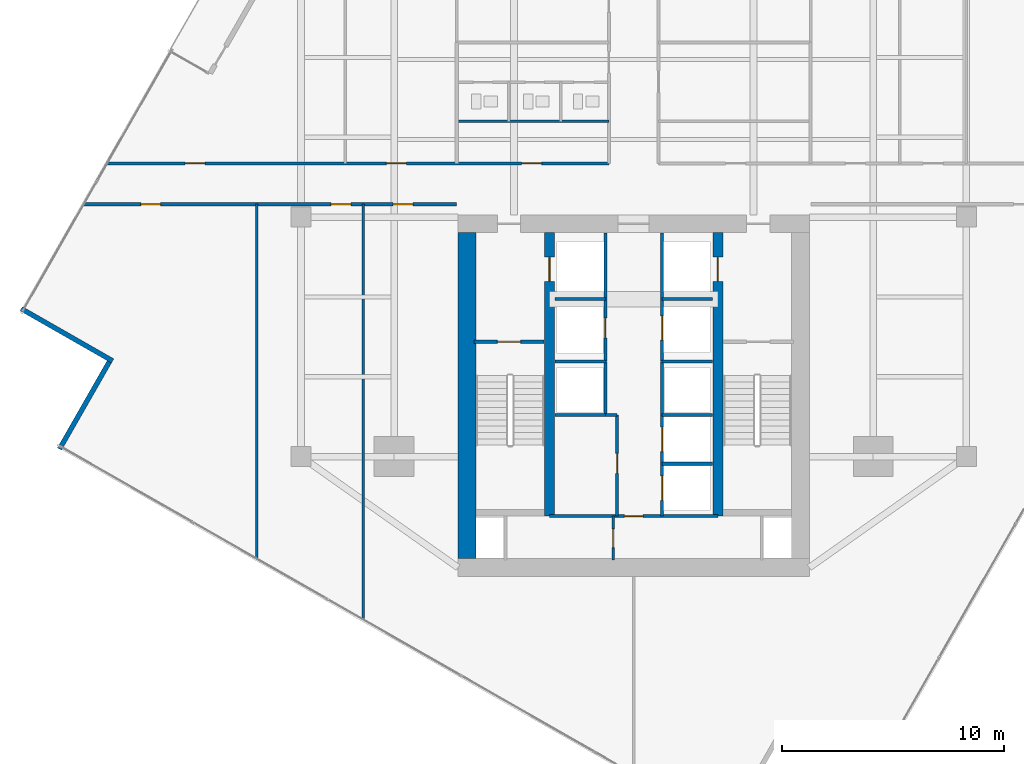
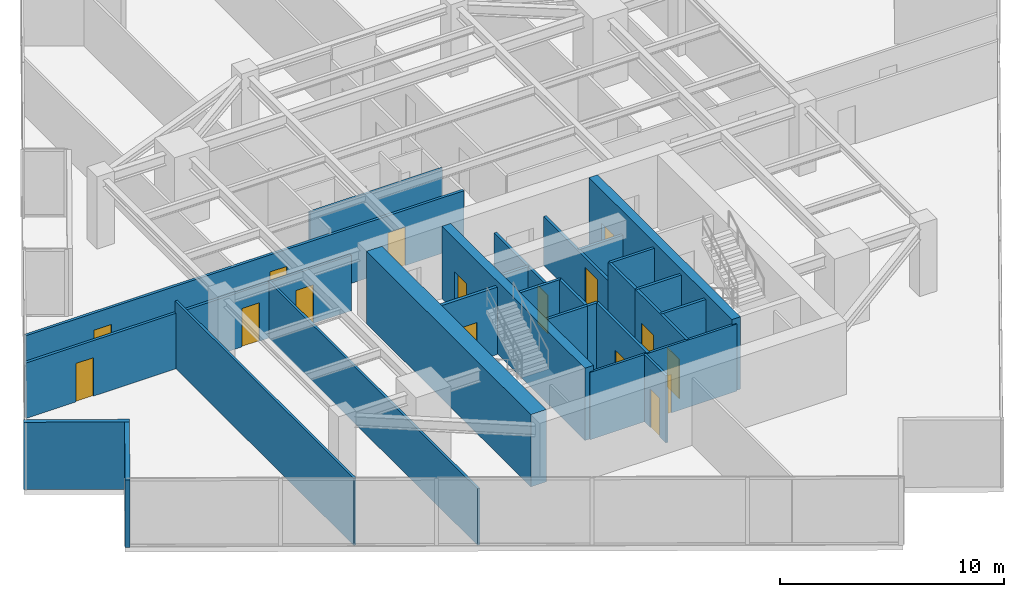
# One storey, part 20 of 24: 27 walls, 16 doors, 16 openings.
"""IFC4 building model written with IfcOpenShell, lengths in metres."""

from ifc_helpers import new_model, si_unit, direction, frame, frame_2d, origin, place, context, subcontext, project, spatial, rectangle, extrude, material, layer, layer_set, type_object, element, fill, save


model = new_model("IFC4")

# Units and contexts
model_context = context("Model", 3, precision=1e-05, world=origin(), true_north=direction((0.0, 1.0)))
body_context = subcontext(model_context, "Body", "Model", "MODEL_VIEW")
ifc_project = project(units=[si_unit("LENGTHUNIT", "METRE"), si_unit("AREAUNIT", "SQUARE_METRE"), si_unit("VOLUMEUNIT", "CUBIC_METRE"), si_unit("PLANEANGLEUNIT", "RADIAN"), si_unit("MASSUNIT", "GRAM", prefix="KILO")], contexts=[model_context])

# Site, building, storey
site_placement = place(None, origin())
site = spatial("IfcSite", under=ifc_project, at=site_placement, CompositionType="ELEMENT")
building_placement = place(site_placement, origin())
building = spatial("IfcBuilding", under=site, at=building_placement, Name="Krantzveldt Concourse Tower", CompositionType="ELEMENT")
storey_placement = place(building_placement, frame((0.0, 0.0, 162.0)))
storey = spatial("IfcBuildingStorey", under=building, at=storey_placement, Name="L39", CompositionType="ELEMENT", Elevation=162.0)

# Walls
ifc_material_1 = material(Name="Anodised aluminium 6063-T6", Category="aluminium")
ifc_layer_1 = layer(ifc_material_1, 0.219970703125, Name="Anodised aluminium 6063-T6", Category="aluminium")
ifc_layer_set_1 = layer_set([ifc_layer_1], Name="Anodised aluminium 6063-T6 (WL-EXT-NOTCH220)")
wall_type_1 = type_object("IfcWallType", Name="WL-EXT-NOTCH220", PredefinedType="ELEMENTEDWALL", material=ifc_layer_set_1)
wall_1_placement = place(storey_placement, frame((8.38525390625, 22.568359375, 0.0), z_axis=(0.0, 0.0, 1.0), x_axis=(0.868192474665, -0.496227595903, 0.0)))
element("IfcWall", 1, at=wall_1_placement, inside=storey, type_object=wall_type_1, Name="EW-L39-NCH06", PredefinedType="ELEMENTEDWALL", context=body_context, shape_type="SweptSolid", body=[
    extrude(rectangle(XDim=4.744873046875, YDim=0.219970703125, at=frame_2d((2.37255859375, 0.0))), origin(), (0.0, 0.0, 1.0), 3.669921875),
])
wall_2_placement = place(storey_placement, frame((12.354736328125, 20.1728515625, 0.0), z_axis=(0.0, 0.0, 1.0), x_axis=(-0.496226094278, -0.868193332938, 0.0)))
element("IfcWall", 2, at=wall_2_placement, inside=storey, type_object=wall_type_1, Name="EW-L39-NCH07", PredefinedType="ELEMENTEDWALL", context=body_context, shape_type="SweptSolid", body=[
    extrude(rectangle(XDim=4.52490234375, YDim=0.219970703125, at=frame_2d((2.262451171875, 0.0))), origin(), (0.0, 0.0, 1.0), 3.669921875),
])

# Wall, opening, door
ifc_material_2 = material(Name="Fire-rated gypsum plasterboard on steel stud", Category="steel")
ifc_layer_2 = layer(ifc_material_2, 0.1201171875, Name="Fire-rated gypsum plasterboard on steel stud", Category="steel")
ifc_layer_set_2 = layer_set([ifc_layer_2], Name="Fire-rated gypsum plasterboard on steel stud (WL-PART-120)")
wall_type_2 = type_object("IfcWallType", Name="WL-PART-120", PredefinedType="PARTITIONING", material=ifc_layer_set_2)
wall_3_placement = place(storey_placement, frame((32.2099609375, 13.219970703125, 0.0), z_axis=(0.0, 0.0, 1.0), x_axis=(1.0, 0.0, 0.0)))
wall_3 = element("IfcWall", 3, at=wall_3_placement, inside=storey, type_object=wall_type_2, Name="WP-L39-CS2H", PredefinedType="PARTITIONING", context=body_context, shape_type="SweptSolid", body=[
    extrude(rectangle(XDim=7.580078125, YDim=0.1201171875, at=frame_2d((3.7900390625, 0.0))), origin(), (0.0, 0.0, 1.0), 3.669921875),
])
opening_1_placement = place(wall_3_placement, frame((3.364990234375, 0.0, 0.0)))
opening_1 = element("IfcOpeningElement", 4, at=opening_1_placement, cuts=wall_3, Name="Opening D-IN085", PredefinedType="OPENING", context=body_context, shape_type="SweptSolid", body=[
    extrude(rectangle(XDim=0.85009765625, YDim=2.10009765625, at=frame_2d((0.425048828125, 1.050048828125))), frame((0.0, 0.070068359375, 0.0), z_axis=(0.0, -1.0, 0.0), x_axis=(1.0, 0.0, 0.0)), (0.0, 0.0, 1.0), 0.14013671875),
])
ifc_material_3 = material(Name="Hardwood timber", Category="wood")
door_type_1 = type_object("IfcDoorType", Name="DR-INT-850", OperationType="SINGLE_SWING_LEFT", PredefinedType="DOOR", material=ifc_material_3)
door_1_placement = place(opening_1_placement, origin())
door_1 = element("IfcDoor", 5, at=door_1_placement, inside=storey, type_object=door_type_1, Name="DR-L39-LLBS", OperationType="SINGLE_SWING_RIGHT", OverallHeight=2.10009765625, OverallWidth=0.85009765625, PredefinedType="DOOR", context=body_context, shape_type="SweptSolid", body=[
    extrude(rectangle(XDim=0.85009765625, YDim=2.10009765625, at=frame_2d((0.425048828125, 1.050048828125))), frame((0.0, 0.02490234375, 0.0), z_axis=(0.0, -1.0, 0.0), x_axis=(1.0, 0.0, 0.0)), (0.0, 0.0, 1.0), 0.050048828125),
])
fill(opening_1, door_1)

wall_4_placement = place(storey_placement, frame((35.080078125, 11.25, 0.0), z_axis=(0.0, 0.0, 1.0), x_axis=(0.0, 1.0, 0.0)))
wall_4 = element("IfcWall", 6, at=wall_4_placement, inside=storey, type_object=wall_type_2, Name="WP-L39-CSA-V", PredefinedType="PARTITIONING", context=body_context, shape_type="SweptSolid", body=[
    extrude(rectangle(XDim=1.969970703125, YDim=0.1201171875, at=frame_2d((0.98486328125, 0.0))), origin(), (0.0, 0.0, 1.0), 3.669921875),
])
opening_2_placement = place(wall_4_placement, frame((0.544921875, 0.0, 0.0)))
opening_2 = element("IfcOpeningElement", 7, at=opening_2_placement, cuts=wall_4, Name="Opening D-IN085", PredefinedType="OPENING", context=body_context, shape_type="SweptSolid", body=[
    extrude(rectangle(XDim=0.85009765625, YDim=2.10009765625, at=frame_2d((0.425048828125, 1.050048828125))), frame((0.0, 0.070068359375, 0.0), z_axis=(0.0, -1.0, 0.0), x_axis=(1.0, 0.0, 0.0)), (0.0, 0.0, 1.0), 0.14013671875),
])
door_2_placement = place(opening_2_placement, origin())
door_2 = element("IfcDoor", 8, at=door_2_placement, inside=storey, type_object=door_type_1, Name="DR-L39-CSA1", OperationType="SINGLE_SWING_LEFT", OverallHeight=2.10009765625, OverallWidth=0.85009765625, PredefinedType="DOOR", context=body_context, shape_type="SweptSolid", body=[
    extrude(rectangle(XDim=0.85009765625, YDim=2.10009765625, at=frame_2d((0.425048828125, 1.050048828125))), frame((0.0, 0.02490234375, 0.0), z_axis=(0.0, -1.0, 0.0), x_axis=(1.0, 0.0, 0.0)), (0.0, 0.0, 1.0), 0.050048828125),
])
fill(opening_2, door_2)

# Walls
wall_5_placement = place(storey_placement, frame((28.02001953125, 31.02001953125, 0.0), z_axis=(0.0, 0.0, 1.0), x_axis=(1.0, 0.0, 0.0)))
element("IfcWall", 9, at=wall_5_placement, inside=storey, type_object=wall_type_2, Name="WP-L39-ISML", PredefinedType="PARTITIONING", context=body_context, shape_type="SweptSolid", body=[
    extrude(rectangle(XDim=6.85986328125, YDim=0.1201171875, at=frame_2d((3.429931640625, 0.0))), origin(), (0.0, 0.0, 1.0), 3.080078125),
])
wall_6_placement = place(storey_placement, frame((19.0, 11.29541015625, 0.0), z_axis=(0.0, 0.0, 1.0), x_axis=(0.0, 1.0, 0.0)))
element("IfcWall", 10, at=wall_6_placement, inside=storey, type_object=wall_type_2, Name="WP-L39-SWX1", PredefinedType="PARTITIONING", context=body_context, shape_type="SweptSolid", body=[
    extrude(rectangle(XDim=15.984619140625, YDim=0.1201171875, at=frame_2d((7.9921875, 0.0))), origin(), (0.0, 0.0, 1.0), 3.669921875),
])
wall_7_placement = place(storey_placement, frame((23.800048828125, 8.552001953125, 0.0), z_axis=(0.0, 0.0, 1.0), x_axis=(0.0, 1.0, 0.0)))
element("IfcWall", 11, at=wall_7_placement, inside=storey, type_object=wall_type_2, Name="WP-L39-SWX2", PredefinedType="PARTITIONING", context=body_context, shape_type="SweptSolid", body=[
    extrude(rectangle(XDim=18.72802734375, YDim=0.1201171875, at=frame_2d((9.364013671875, 0.0))), origin(), (0.0, 0.0, 1.0), 3.080078125),
])

# Wall, openings, doors
ifc_layer_3 = layer(ifc_material_2, 0.139892578125, Name="Fire-rated gypsum plasterboard on steel stud", Category="steel")
ifc_layer_set_3 = layer_set([ifc_layer_3], Name="Fire-rated gypsum plasterboard on steel stud (WL-PART-140)")
wall_type_3 = type_object("IfcWallType", Name="WL-PART-140", PredefinedType="PARTITIONING", material=ifc_layer_set_3)
wall_8_placement = place(storey_placement, frame((12.26220703125, 29.1201171875, 0.0), z_axis=(0.0, 0.0, 1.0), x_axis=(1.0, 0.0, 0.0)))
wall_8 = element("IfcWall", 12, at=wall_8_placement, inside=storey, type_object=wall_type_3, Name="WP-L39-EWNL", PredefinedType="PARTITIONING", context=body_context, shape_type="SweptSolid", body=[
    extrude(rectangle(XDim=22.61767578125, YDim=0.139892578125, at=frame_2d((11.308837890625, 0.0))), origin(), (0.0, 0.0, 1.0), 3.030029296875),
])
opening_3_placement = place(wall_8_placement, frame((18.687744140625, 0.0, 0.0)))
opening_3 = element("IfcOpeningElement", 13, at=opening_3_placement, cuts=wall_8, Name="Opening D-IN090", PredefinedType="OPENING", context=body_context, shape_type="SweptSolid", body=[
    extrude(rectangle(XDim=0.89990234375, YDim=2.10009765625, at=frame_2d((0.449951171875, 1.050048828125))), frame((0.0, 0.080078125, 0.0), z_axis=(0.0, -1.0, 0.0), x_axis=(1.0, 0.0, 0.0)), (0.0, 0.0, 1.0), 0.159912109375),
])
opening_4_placement = place(wall_8_placement, frame((3.513916015625, 0.0, 0.0)))
opening_4 = element("IfcOpeningElement", 14, at=opening_4_placement, cuts=wall_8, Name="Opening D-IN090", PredefinedType="OPENING", context=body_context, shape_type="SweptSolid", body=[
    extrude(rectangle(XDim=0.89990234375, YDim=2.10009765625, at=frame_2d((0.449951171875, 1.050048828125))), frame((0.0, 0.080078125, 0.0), z_axis=(0.0, -1.0, 0.0), x_axis=(1.0, 0.0, 0.0)), (0.0, 0.0, 1.0), 0.159912109375),
])
opening_5_placement = place(wall_8_placement, frame((12.587890625, 0.0, 0.0)))
opening_5 = element("IfcOpeningElement", 15, at=opening_5_placement, cuts=wall_8, Name="Opening D-IN090", PredefinedType="OPENING", context=body_context, shape_type="SweptSolid", body=[
    extrude(rectangle(XDim=0.89990234375, YDim=2.10009765625, at=frame_2d((0.449951171875, 1.050048828125))), frame((0.0, 0.080078125, 0.0), z_axis=(0.0, -1.0, 0.0), x_axis=(1.0, 0.0, 0.0)), (0.0, 0.0, 1.0), 0.159912109375),
])
door_type_2 = type_object("IfcDoorType", Name="DR-INT-900", OperationType="SINGLE_SWING_LEFT", PredefinedType="DOOR", material=ifc_material_3)
door_3_placement = place(opening_3_placement, origin())
door_3 = element("IfcDoor", 16, at=door_3_placement, inside=storey, type_object=door_type_2, Name="DR-L39-ALCL", OperationType="SINGLE_SWING_LEFT", OverallHeight=2.10009765625, OverallWidth=0.89990234375, PredefinedType="DOOR", context=body_context, shape_type="SweptSolid", body=[
    extrude(rectangle(XDim=0.89990234375, YDim=2.10009765625, at=frame_2d((0.449951171875, 1.050048828125))), frame((0.0, 0.02490234375, 0.0), z_axis=(0.0, -1.0, 0.0), x_axis=(1.0, 0.0, 0.0)), (0.0, 0.0, 1.0), 0.050048828125),
])
fill(opening_3, door_3)
door_4_placement = place(opening_4_placement, origin())
door_4 = element("IfcDoor", 17, at=door_4_placement, inside=storey, type_object=door_type_2, Name="DR-L39-NWX1", OperationType="SINGLE_SWING_LEFT", OverallHeight=2.10009765625, OverallWidth=0.89990234375, PredefinedType="DOOR", context=body_context, shape_type="SweptSolid", body=[
    extrude(rectangle(XDim=0.89990234375, YDim=2.10009765625, at=frame_2d((0.449951171875, 1.050048828125))), frame((0.0, 0.02490234375, 0.0), z_axis=(0.0, -1.0, 0.0), x_axis=(1.0, 0.0, 0.0)), (0.0, 0.0, 1.0), 0.050048828125),
])
fill(opening_4, door_4)
door_5_placement = place(opening_5_placement, origin())
door_5 = element("IfcDoor", 18, at=door_5_placement, inside=storey, type_object=door_type_2, Name="DR-L39-NWX2", OperationType="SINGLE_SWING_LEFT", OverallHeight=2.10009765625, OverallWidth=0.89990234375, PredefinedType="DOOR", context=body_context, shape_type="SweptSolid", body=[
    extrude(rectangle(XDim=0.89990234375, YDim=2.10009765625, at=frame_2d((0.449951171875, 1.050048828125))), frame((0.0, 0.02490234375, 0.0), z_axis=(0.0, -1.0, 0.0), x_axis=(1.0, 0.0, 0.0)), (0.0, 0.0, 1.0), 0.050048828125),
])
fill(opening_5, door_5)

wall_9_placement = place(storey_placement, frame((11.21044921875, 27.280029296875, 0.0), z_axis=(0.0, 0.0, 1.0), x_axis=(1.0, 0.0, 0.0)))
wall_9 = element("IfcWall", 19, at=wall_9_placement, inside=storey, type_object=wall_type_3, Name="WP-L39-EWSL", PredefinedType="PARTITIONING", context=body_context, shape_type="SweptSolid", body=[
    extrude(rectangle(XDim=16.78955078125, YDim=0.139892578125, at=frame_2d((8.394775390625, 0.0))), origin(), (0.0, 0.0, 1.0), 3.030029296875),
])
opening_6_placement = place(wall_9_placement, frame((2.5654296875, 0.0, 0.0)))
opening_6 = element("IfcOpeningElement", 20, at=opening_6_placement, cuts=wall_9, Name="Opening D-IN090", PredefinedType="OPENING", context=body_context, shape_type="SweptSolid", body=[
    extrude(rectangle(XDim=0.89990234375, YDim=2.10009765625, at=frame_2d((0.449951171875, 1.050048828125))), frame((0.0, 0.080078125, 0.0), z_axis=(0.0, -1.0, 0.0), x_axis=(1.0, 0.0, 0.0)), (0.0, 0.0, 1.0), 0.159912109375),
])
opening_7_placement = place(wall_9_placement, frame((11.139404296875, 0.0, 0.0)))
opening_7 = element("IfcOpeningElement", 21, at=opening_7_placement, cuts=wall_9, Name="Opening D-IN090", PredefinedType="OPENING", context=body_context, shape_type="SweptSolid", body=[
    extrude(rectangle(XDim=0.89990234375, YDim=2.10009765625, at=frame_2d((0.449951171875, 1.050048828125))), frame((0.0, 0.080078125, 0.0), z_axis=(0.0, -1.0, 0.0), x_axis=(1.0, 0.0, 0.0)), (0.0, 0.0, 1.0), 0.159912109375),
])
opening_8_placement = place(wall_9_placement, frame((13.939453125, 0.0, 0.0)))
opening_8 = element("IfcOpeningElement", 22, at=opening_8_placement, cuts=wall_9, Name="Opening D-IN090", PredefinedType="OPENING", context=body_context, shape_type="SweptSolid", body=[
    extrude(rectangle(XDim=0.89990234375, YDim=2.10009765625, at=frame_2d((0.449951171875, 1.050048828125))), frame((0.0, 0.080078125, 0.0), z_axis=(0.0, -1.0, 0.0), x_axis=(1.0, 0.0, 0.0)), (0.0, 0.0, 1.0), 0.159912109375),
])
door_6_placement = place(opening_6_placement, origin())
door_6 = element("IfcDoor", 23, at=door_6_placement, inside=storey, type_object=door_type_2, Name="DR-L39-SWX1", OperationType="SINGLE_SWING_LEFT", OverallHeight=2.10009765625, OverallWidth=0.89990234375, PredefinedType="DOOR", context=body_context, shape_type="SweptSolid", body=[
    extrude(rectangle(XDim=0.89990234375, YDim=2.10009765625, at=frame_2d((0.449951171875, 1.050048828125))), frame((0.0, 0.02490234375, 0.0), z_axis=(0.0, -1.0, 0.0), x_axis=(1.0, 0.0, 0.0)), (0.0, 0.0, 1.0), 0.050048828125),
])
fill(opening_6, door_6)
door_7_placement = place(opening_7_placement, origin())
door_7 = element("IfcDoor", 24, at=door_7_placement, inside=storey, type_object=door_type_2, Name="DR-L39-SWX2", OperationType="SINGLE_SWING_LEFT", OverallHeight=2.10009765625, OverallWidth=0.89990234375, PredefinedType="DOOR", context=body_context, shape_type="SweptSolid", body=[
    extrude(rectangle(XDim=0.89990234375, YDim=2.10009765625, at=frame_2d((0.449951171875, 1.050048828125))), frame((0.0, 0.02490234375, 0.0), z_axis=(0.0, -1.0, 0.0), x_axis=(1.0, 0.0, 0.0)), (0.0, 0.0, 1.0), 0.050048828125),
])
fill(opening_7, door_7)
door_8_placement = place(opening_8_placement, origin())
door_8 = element("IfcDoor", 25, at=door_8_placement, inside=storey, type_object=door_type_2, Name="DR-L39-SWX3", OperationType="SINGLE_SWING_LEFT", OverallHeight=2.10009765625, OverallWidth=0.89990234375, PredefinedType="DOOR", context=body_context, shape_type="SweptSolid", body=[
    extrude(rectangle(XDim=0.89990234375, YDim=2.10009765625, at=frame_2d((0.449951171875, 1.050048828125))), frame((0.0, 0.02490234375, 0.0), z_axis=(0.0, -1.0, 0.0), x_axis=(1.0, 0.0, 0.0)), (0.0, 0.0, 1.0), 0.050048828125),
])
fill(opening_8, door_8)

# Wall, opening, door
ifc_layer_4 = layer(ifc_material_2, 0.139892578125, Name="Fire-rated gypsum plasterboard on steel stud", Category="steel")
ifc_layer_set_4 = layer_set([ifc_layer_4], Name="Fire-rated gypsum plasterboard on steel stud (WL-PART-FR140)")
wall_type_4 = type_object("IfcWallType", Name="WL-PART-FR140", PredefinedType="PARTITIONING", material=ifc_layer_set_4)
wall_10_placement = place(storey_placement, frame((34.719970703125, 20.199951171875, 0.0), z_axis=(0.0, 0.0, 1.0), x_axis=(0.0, 1.0, 0.0)))
wall_10 = element("IfcWall", 26, at=wall_10_placement, inside=storey, type_object=wall_type_4, Name="WP-L39-SHNW", PredefinedType="PARTITIONING", context=body_context, shape_type="SweptSolid", body=[
    extrude(rectangle(XDim=5.780029296875, YDim=0.139892578125, at=frame_2d((2.89013671875, 0.0))), origin(), (0.0, 0.0, 1.0), 2.669921875),
])
opening_9_placement = place(wall_10_placement, frame((1.050048828125, 0.0, 0.0)))
opening_9 = element("IfcOpeningElement", 27, at=opening_9_placement, cuts=wall_10, Name="Opening D-FD090", PredefinedType="OPENING", context=body_context, shape_type="SweptSolid", body=[
    extrude(rectangle(XDim=0.89990234375, YDim=2.10009765625, at=frame_2d((0.449951171875, 1.050048828125))), frame((0.0, 0.080078125, 0.0), z_axis=(0.0, -1.0, 0.0), x_axis=(1.0, 0.0, 0.0)), (0.0, 0.0, 1.0), 0.159912109375),
])
door_type_3 = type_object("IfcDoorType", Name="DR-FD60-900", OperationType="SINGLE_SWING_LEFT", PredefinedType="DOOR", material=ifc_material_3)
door_9_placement = place(opening_9_placement, origin())
door_9 = element("IfcDoor", 28, at=door_9_placement, inside=storey, type_object=door_type_3, Name="Electrical Riser Access Door L39", OperationType="SINGLE_SWING_LEFT", OverallHeight=2.10009765625, OverallWidth=0.89990234375, PredefinedType="DOOR", context=body_context, shape_type="SweptSolid", body=[
    extrude(rectangle(XDim=0.89990234375, YDim=2.10009765625, at=frame_2d((0.449951171875, 1.050048828125))), frame((0.0, 0.02490234375, 0.0), z_axis=(0.0, -1.0, 0.0), x_axis=(1.0, 0.0, 0.0)), (0.0, 0.0, 1.0), 0.050048828125),
])
fill(opening_9, door_9)

wall_11_placement = place(storey_placement, frame((37.280029296875, 20.199951171875, 0.0), z_axis=(0.0, 0.0, 1.0), x_axis=(0.0, 1.0, 0.0)))
wall_11 = element("IfcWall", 29, at=wall_11_placement, inside=storey, type_object=wall_type_4, Name="WP-L39-SHNE", PredefinedType="PARTITIONING", context=body_context, shape_type="SweptSolid", body=[
    extrude(rectangle(XDim=5.780029296875, YDim=0.139892578125, at=frame_2d((2.89013671875, 0.0))), origin(), (0.0, 0.0, 1.0), 2.669921875),
])
opening_10_placement = place(wall_11_placement, frame((0.949951171875, 0.0, 0.0)))
opening_10 = element("IfcOpeningElement", 30, at=opening_10_placement, cuts=wall_11, Name="Opening LD", PredefinedType="OPENING", context=body_context, shape_type="SweptSolid", body=[
    extrude(rectangle(XDim=1.10009765625, YDim=2.14990234375, at=frame_2d((0.550048828125, 1.074951171875))), frame((0.0, 0.080078125, 0.0), z_axis=(0.0, -1.0, 0.0), x_axis=(1.0, 0.0, 0.0)), (0.0, 0.0, 1.0), 0.159912109375),
])
ifc_material_4 = material(Name="Stainless steel 316L", Category="steel")
door_type_4 = type_object("IfcDoorType", Name="DR-SLIDE-LD1100", OperationType="DOUBLE_DOOR_SLIDING", PredefinedType="DOOR", material=ifc_material_4)
door_10_placement = place(opening_10_placement, origin())
door_10 = element("IfcDoor", 31, at=door_10_placement, inside=storey, type_object=door_type_4, Name="LD-L39-GL1", OperationType="DOUBLE_DOOR_SLIDING", OverallHeight=2.14990234375, OverallWidth=1.10009765625, PredefinedType="DOOR", context=body_context, shape_type="SweptSolid", body=[
    extrude(rectangle(XDim=1.10009765625, YDim=2.14990234375, at=frame_2d((0.550048828125, 1.074951171875))), frame((0.0, 0.02490234375, 0.0), z_axis=(0.0, -1.0, 0.0), x_axis=(1.0, 0.0, 0.0)), (0.0, 0.0, 1.0), 0.050048828125),
])
fill(opening_10, door_10)

# Walls
for number, where, z_axis, x_axis, name in (
    (32, (32.449951171875, 23.0, 0.0), (0.0, 0.0, 1.0), (1.0, 0.0, 0.0), "WP-L39-RISH"),
    (33, (37.280029296875, 23.0, 0.0), (0.0, 0.0, 1.0), (1.0, 0.0, 0.0), "WP-L39-GLH"),
):
    element("IfcWall", number, at=place(storey_placement, frame(where, z_axis=z_axis, x_axis=x_axis)), inside=storey, type_object=wall_type_4, Name=name, PredefinedType="PARTITIONING", context=body_context, shape_type="SweptSolid", body=[
        extrude(rectangle(XDim=2.27001953125, YDim=0.139892578125, at=frame_2d((1.135009765625, 0.0))), origin(), (0.0, 0.0, 1.0), 2.669921875),
    ])
for number, where, z_axis, x_axis, name in (
    (34, (34.719970703125, 17.780029296875, 0.0), (0.0, 0.0, 1.0), (0.0, 1.0, 0.0), "WP-L39-SHNW2"),
    (35, (37.280029296875, 17.780029296875, 0.0), (0.0, 0.0, 1.0), (0.0, 1.0, 0.0), "WP-L39-SHNE2"),
):
    element("IfcWall", number, at=place(storey_placement, frame(where, z_axis=z_axis, x_axis=x_axis)), inside=storey, type_object=wall_type_4, Name=name, PredefinedType="PARTITIONING", context=body_context, shape_type="SweptSolid", body=[
        extrude(rectangle(XDim=2.419921875, YDim=0.139892578125, at=frame_2d((1.2099609375, 0.0))), origin(), (0.0, 0.0, 1.0), 3.669921875),
    ])
for number, where, z_axis, x_axis, name in (
    (36, (32.449951171875, 17.780029296875, 0.0), (0.0, 0.0, 1.0), (1.0, 0.0, 0.0), "WP-L39-DIVW2"),
    (37, (32.449951171875, 20.179931640625, 0.0), (0.0, 0.0, 1.0), (1.0, 0.0, 0.0), "WP-L39-DIVW3"),
    (38, (37.280029296875, 17.780029296875, 0.0), (0.0, 0.0, 1.0), (1.0, 0.0, 0.0), "WP-L39-DIVE2"),
    (39, (37.280029296875, 20.179931640625, 0.0), (0.0, 0.0, 1.0), (1.0, 0.0, 0.0), "WP-L39-DIVE3"),
):
    element("IfcWall", number, at=place(storey_placement, frame(where, z_axis=z_axis, x_axis=x_axis)), inside=storey, type_object=wall_type_4, Name=name, PredefinedType="PARTITIONING", context=body_context, shape_type="SweptSolid", body=[
        extrude(rectangle(XDim=2.27001953125, YDim=0.139892578125, at=frame_2d((1.135009765625, 0.0))), origin(), (0.0, 0.0, 1.0), 3.669921875),
    ])

# Wall, opening, door
wall_12_placement = place(storey_placement, frame((35.25, 13.219970703125, 0.0), z_axis=(0.0, 0.0, 1.0), x_axis=(0.0, 1.0, 0.0)))
wall_12 = element("IfcWall", 40, at=wall_12_placement, inside=storey, type_object=wall_type_4, Name="WP-L39-RECW", PredefinedType="PARTITIONING", context=body_context, shape_type="SweptSolid", body=[
    extrude(rectangle(XDim=4.56005859375, YDim=0.139892578125, at=frame_2d((2.280029296875, 0.0))), origin(), (0.0, 0.0, 1.0), 3.669921875),
])
opening_11_placement = place(wall_12_placement, frame((1.929931640625, 0.0, 0.0)))
opening_11 = element("IfcOpeningElement", 41, at=opening_11_placement, cuts=wall_12, Name="Opening D-FD090", PredefinedType="OPENING", context=body_context, shape_type="SweptSolid", body=[
    extrude(rectangle(XDim=0.89990234375, YDim=2.10009765625, at=frame_2d((0.449951171875, 1.050048828125))), frame((0.0, 0.080078125, 0.0), z_axis=(0.0, -1.0, 0.0), x_axis=(1.0, 0.0, 0.0)), (0.0, 0.0, 1.0), 0.159912109375),
])
door_11_placement = place(opening_11_placement, origin())
door_11 = element("IfcDoor", 42, at=door_11_placement, inside=storey, type_object=door_type_3, Name="DR-L39-RECW", OperationType="SINGLE_SWING_LEFT", OverallHeight=2.10009765625, OverallWidth=0.89990234375, PredefinedType="DOOR", context=body_context, shape_type="SweptSolid", body=[
    extrude(rectangle(XDim=0.89990234375, YDim=2.10009765625, at=frame_2d((0.449951171875, 1.050048828125))), frame((0.0, 0.02490234375, 0.0), z_axis=(0.0, -1.0, 0.0), x_axis=(1.0, 0.0, 0.0)), (0.0, 0.0, 1.0), 0.050048828125),
])
fill(opening_11, door_11)

# Wall
wall_13_placement = place(storey_placement, frame((34.719970703125, 17.780029296875, 0.0), z_axis=(0.0, 0.0, 1.0), x_axis=(1.0, 0.0, 0.0)))
element("IfcWall", 43, at=wall_13_placement, inside=storey, type_object=wall_type_4, Name="WP-L39-RECWN", PredefinedType="PARTITIONING", context=body_context, shape_type="SweptSolid", body=[
    extrude(rectangle(XDim=0.530029296875, YDim=0.139892578125, at=frame_2d((0.26513671875, 0.0))), origin(), (0.0, 0.0, 1.0), 3.669921875),
])

# Wall, openings, doors
wall_14_placement = place(storey_placement, frame((37.280029296875, 13.219970703125, 0.0), z_axis=(0.0, 0.0, 1.0), x_axis=(0.0, 1.0, 0.0)))
wall_14 = element("IfcWall", 44, at=wall_14_placement, inside=storey, type_object=wall_type_4, Name="WP-L39-SHSE", PredefinedType="PARTITIONING", context=body_context, shape_type="SweptSolid", body=[
    extrude(rectangle(XDim=4.56005859375, YDim=0.139892578125, at=frame_2d((2.280029296875, 0.0))), origin(), (0.0, 0.0, 1.0), 3.669921875),
])
opening_12_placement = place(wall_14_placement, frame((0.7099609375, 0.0, 0.0)))
opening_12 = element("IfcOpeningElement", 45, at=opening_12_placement, cuts=wall_14, Name="Opening LD", PredefinedType="OPENING", context=body_context, shape_type="SweptSolid", body=[
    extrude(rectangle(XDim=1.10009765625, YDim=2.14990234375, at=frame_2d((0.550048828125, 1.074951171875))), frame((0.0, 0.080078125, 0.0), z_axis=(0.0, -1.0, 0.0), x_axis=(1.0, 0.0, 0.0)), (0.0, 0.0, 1.0), 0.159912109375),
])
opening_13_placement = place(wall_14_placement, frame((2.909912109375, 0.0, 0.0)))
opening_13 = element("IfcOpeningElement", 46, at=opening_13_placement, cuts=wall_14, Name="Opening LD", PredefinedType="OPENING", context=body_context, shape_type="SweptSolid", body=[
    extrude(rectangle(XDim=1.10009765625, YDim=2.14990234375, at=frame_2d((0.550048828125, 1.074951171875))), frame((0.0, 0.080078125, 0.0), z_axis=(0.0, -1.0, 0.0), x_axis=(1.0, 0.0, 0.0)), (0.0, 0.0, 1.0), 0.159912109375),
])
door_12_placement = place(opening_12_placement, origin())
door_12 = element("IfcDoor", 47, at=door_12_placement, inside=storey, type_object=door_type_4, Name="LD-L39-PM1", OperationType="DOUBLE_DOOR_SLIDING", OverallHeight=2.14990234375, OverallWidth=1.10009765625, PredefinedType="DOOR", context=body_context, shape_type="SweptSolid", body=[
    extrude(rectangle(XDim=1.10009765625, YDim=2.14990234375, at=frame_2d((0.550048828125, 1.074951171875))), frame((0.0, 0.02490234375, 0.0), z_axis=(0.0, -1.0, 0.0), x_axis=(1.0, 0.0, 0.0)), (0.0, 0.0, 1.0), 0.050048828125),
])
fill(opening_12, door_12)
door_13_placement = place(opening_13_placement, origin())
door_13 = element("IfcDoor", 48, at=door_13_placement, inside=storey, type_object=door_type_4, Name="LD-L39-PM2", OperationType="DOUBLE_DOOR_SLIDING", OverallHeight=2.14990234375, OverallWidth=1.10009765625, PredefinedType="DOOR", context=body_context, shape_type="SweptSolid", body=[
    extrude(rectangle(XDim=1.10009765625, YDim=2.14990234375, at=frame_2d((0.550048828125, 1.074951171875))), frame((0.0, 0.02490234375, 0.0), z_axis=(0.0, -1.0, 0.0), x_axis=(1.0, 0.0, 0.0)), (0.0, 0.0, 1.0), 0.050048828125),
])
fill(opening_13, door_13)

# Wall
wall_15_placement = place(storey_placement, frame((37.280029296875, 15.580078125, 0.0), z_axis=(0.0, 0.0, 1.0), x_axis=(1.0, 0.0, 0.0)))
element("IfcWall", 49, at=wall_15_placement, inside=storey, type_object=wall_type_4, Name="WP-L39-DIVE1", PredefinedType="PARTITIONING", context=body_context, shape_type="SweptSolid", body=[
    extrude(rectangle(XDim=2.27001953125, YDim=0.139892578125, at=frame_2d((1.135009765625, 0.0))), origin(), (0.0, 0.0, 1.0), 3.669921875),
])

# Wall, opening, door
ifc_layer_5 = layer(ifc_material_2, 0.159912109375, Name="Fire-rated gypsum plasterboard on steel stud", Category="steel")
ifc_layer_set_5 = layer_set([ifc_layer_5], Name="Fire-rated gypsum plasterboard on steel stud (WL-PART-FR160)")
wall_type_5 = type_object("IfcWallType", Name="WL-PART-FR160", PredefinedType="PARTITIONING", material=ifc_layer_set_5)
wall_16_placement = place(storey_placement, frame((28.800048828125, 21.080078125, 0.0), z_axis=(0.0, 0.0, 1.0), x_axis=(1.0, 0.0, 0.0)))
wall_16 = element("IfcWall", 50, at=wall_16_placement, inside=storey, type_object=wall_type_5, Name="WP-L39-ST1", PredefinedType="PARTITIONING", context=body_context, shape_type="SweptSolid", body=[
    extrude(rectangle(XDim=3.159912109375, YDim=0.159912109375, at=frame_2d((1.580078125, 0.0))), origin(), (0.0, 0.0, 1.0), 3.669921875),
])
opening_14_placement = place(wall_16_placement, frame((1.054931640625, 0.0, 0.0)))
opening_14 = element("IfcOpeningElement", 51, at=opening_14_placement, cuts=wall_16, Name="Opening D-FD105", PredefinedType="OPENING", context=body_context, shape_type="SweptSolid", body=[
    extrude(rectangle(XDim=1.050048828125, YDim=2.10009765625, at=frame_2d((0.52490234375, 1.050048828125))), frame((0.0, 0.08984375, 0.0), z_axis=(0.0, -1.0, 0.0), x_axis=(1.0, 0.0, 0.0)), (0.0, 0.0, 1.0), 0.179931640625),
])
ifc_material_5 = material(Name="Galvanised steel", Category="steel")
door_type_5 = type_object("IfcDoorType", Name="DR-FD120-1050", OperationType="SINGLE_SWING_LEFT", PredefinedType="DOOR", material=ifc_material_5)
door_14_placement = place(opening_14_placement, origin())
door_14 = element("IfcDoor", 52, at=door_14_placement, inside=storey, type_object=door_type_5, Name="DR-L39-ST1", OperationType="SINGLE_SWING_RIGHT", OverallHeight=2.10009765625, OverallWidth=1.050048828125, PredefinedType="DOOR", context=body_context, shape_type="SweptSolid", body=[
    extrude(rectangle(XDim=1.050048828125, YDim=2.10009765625, at=frame_2d((0.52490234375, 1.050048828125))), frame((0.0, 0.02490234375, 0.0), z_axis=(0.0, -1.0, 0.0), x_axis=(1.0, 0.0, 0.0)), (0.0, 0.0, 1.0), 0.050048828125),
])
fill(opening_14, door_14)

ifc_material_6 = material(Name="Concrete C50/60", Category="concrete")
ifc_layer_6 = layer(ifc_material_6, 0.449951171875, Name="Concrete C50/60", Category="concrete")
ifc_layer_set_6 = layer_set([ifc_layer_6], Name="Concrete C50/60 (WL-SHEAR-450)")
wall_type_6 = type_object("IfcWallType", Name="WL-SHEAR-450", PredefinedType="SHEAR", material=ifc_layer_set_6)
wall_17_placement = place(storey_placement, frame((32.205078125, 13.219970703125, 0.0), z_axis=(0.0, 0.0, 1.0), x_axis=(0.0, 1.0, 0.0)))
wall_17 = element("IfcWall", 53, at=wall_17_placement, inside=storey, type_object=wall_type_6, Name="CW-L39-IW", PredefinedType="SHEAR", context=body_context, shape_type="SweptSolid", body=[
    extrude(rectangle(XDim=12.780029296875, YDim=0.449951171875, at=frame_2d((6.39013671875, 0.0))), origin(), (0.0, 0.0, 1.0), 3.949951171875),
])
opening_15_placement = place(wall_17_placement, frame((10.580078125, 0.0, 0.0)))
opening_15 = element("IfcOpeningElement", 54, at=opening_15_placement, cuts=wall_17, Name="Opening LD", PredefinedType="OPENING", context=body_context, shape_type="SweptSolid", body=[
    extrude(rectangle(XDim=1.10009765625, YDim=2.14990234375, at=frame_2d((0.550048828125, 1.074951171875))), frame((0.0, 0.23486328125, 0.0), z_axis=(0.0, -1.0, 0.0), x_axis=(1.0, 0.0, 0.0)), (0.0, 0.0, 1.0), 0.469970703125),
])
door_15_placement = place(opening_15_placement, origin())
door_15 = element("IfcDoor", 55, at=door_15_placement, inside=storey, type_object=door_type_4, Name="LD-L39-FL1", OperationType="DOUBLE_DOOR_SLIDING", OverallHeight=2.14990234375, OverallWidth=1.10009765625, PredefinedType="DOOR", context=body_context, shape_type="SweptSolid", body=[
    extrude(rectangle(XDim=1.10009765625, YDim=2.14990234375, at=frame_2d((0.550048828125, 1.074951171875))), frame((0.0, 0.02490234375, 0.0), z_axis=(0.0, -1.0, 0.0), x_axis=(1.0, 0.0, 0.0)), (0.0, 0.0, 1.0), 0.050048828125),
])
fill(opening_15, door_15)

wall_18_placement = place(storey_placement, frame((39.794921875, 13.219970703125, 0.0), z_axis=(0.0, 0.0, 1.0), x_axis=(0.0, 1.0, 0.0)))
wall_18 = element("IfcWall", 56, at=wall_18_placement, inside=storey, type_object=wall_type_6, Name="CW-L39-IE", PredefinedType="SHEAR", context=body_context, shape_type="SweptSolid", body=[
    extrude(rectangle(XDim=12.780029296875, YDim=0.449951171875, at=frame_2d((6.39013671875, 0.0))), origin(), (0.0, 0.0, 1.0), 3.949951171875),
])
opening_16_placement = place(wall_18_placement, frame((10.580078125, 0.0, 0.0)))
opening_16 = element("IfcOpeningElement", 57, at=opening_16_placement, cuts=wall_18, Name="Opening LD", PredefinedType="OPENING", context=body_context, shape_type="SweptSolid", body=[
    extrude(rectangle(XDim=1.10009765625, YDim=2.14990234375, at=frame_2d((0.550048828125, 1.074951171875))), frame((0.0, 0.23486328125, 0.0), z_axis=(0.0, -1.0, 0.0), x_axis=(1.0, 0.0, 0.0)), (0.0, 0.0, 1.0), 0.469970703125),
])
door_16_placement = place(opening_16_placement, origin())
door_16 = element("IfcDoor", 58, at=door_16_placement, inside=storey, type_object=door_type_4, Name="LD-L39-FL2", OperationType="DOUBLE_DOOR_SLIDING", OverallHeight=2.14990234375, OverallWidth=1.10009765625, PredefinedType="DOOR", context=body_context, shape_type="SweptSolid", body=[
    extrude(rectangle(XDim=1.10009765625, YDim=2.14990234375, at=frame_2d((0.550048828125, 1.074951171875))), frame((0.0, 0.02490234375, 0.0), z_axis=(0.0, -1.0, 0.0), x_axis=(1.0, 0.0, 0.0)), (0.0, 0.0, 1.0), 0.050048828125),
])
fill(opening_16, door_16)

# Wall
ifc_material_7 = material(Name="Concrete C60/75", Category="concrete")
ifc_layer_7 = layer(ifc_material_7, 0.800048828125, Name="Concrete C60/75", Category="concrete")
ifc_layer_set_7 = layer_set([ifc_layer_7], Name="Concrete C60/75 (WL-SHEAR-800)")
wall_type_7 = type_object("IfcWallType", Name="WL-SHEAR-800", PredefinedType="SHEAR", material=ifc_layer_set_7)
wall_19_placement = place(storey_placement, frame((28.47998046875, 11.300048828125, 0.0), z_axis=(0.0, 0.0, 1.0), x_axis=(0.0, 1.0, 0.0)))
element("IfcWall", 59, at=wall_19_placement, inside=storey, type_object=wall_type_7, Name="CW-L39-W", PredefinedType="SHEAR", context=body_context, shape_type="SweptSolid", body=[
    extrude(rectangle(XDim=14.699951171875, YDim=0.800048828125, at=frame_2d((7.35009765625, 0.0))), origin(), (0.0, 0.0, 1.0), 3.949951171875),
])

save(model, "model.ifc")
